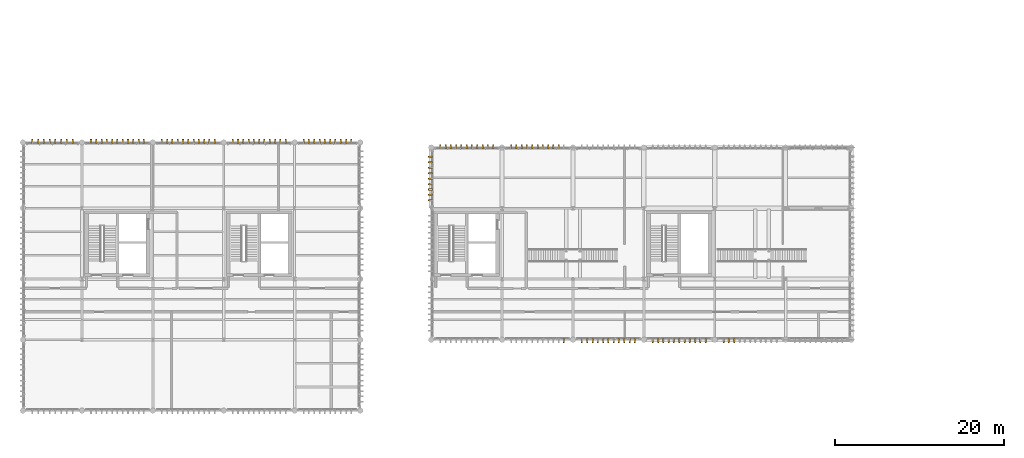
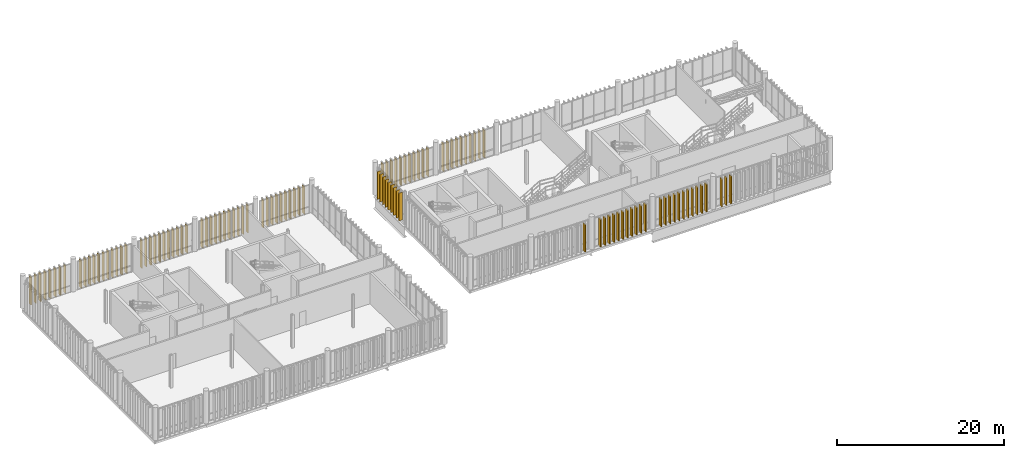
# One storey, part 81 of 86: 107 coverings.
"""IFC4 building model written with IfcOpenShell, lengths in metres."""

from ifc_helpers import new_model, si_unit, direction, frame, frame_2d, origin_with_axes, place, context, subcontext, project, spatial, rectangle, extrude, material, type_object, element, save


model = new_model("IFC4")

# Units and contexts
model_context = context("Model", 3, precision=1e-05, world=origin_with_axes(), true_north=direction((0.0, 1.0)))
body_context = subcontext(model_context, "Body", "Model", "MODEL_VIEW")
ifc_project = project(units=[si_unit("LENGTHUNIT", "METRE"), si_unit("AREAUNIT", "SQUARE_METRE"), si_unit("VOLUMEUNIT", "CUBIC_METRE"), si_unit("PLANEANGLEUNIT", "RADIAN"), si_unit("MASSUNIT", "GRAM", prefix="KILO"), si_unit("THERMODYNAMICTEMPERATUREUNIT", "KELVIN")], contexts=[model_context])

# Site, building, storey
site_placement = place(None, origin_with_axes())
site = spatial("IfcSite", under=ifc_project, at=site_placement, CompositionType="ELEMENT")
building_placement = place(site_placement, origin_with_axes())
building = spatial("IfcBuilding", under=site, at=building_placement, Name="Montbau Bow Law Courts", CompositionType="ELEMENT")
storey_placement = place(building_placement, frame((0.0, 0.0, 29.7), z_axis=(0.0, 0.0, 1.0), x_axis=(1.0, 0.0, 0.0)))
storey = spatial("IfcBuildingStorey", under=building, at=storey_placement, Name="L06", CompositionType="ELEMENT", Elevation=29.7)

# Coverings
ifc_material_1 = material(Name="Freeze-Thaw Glazed Warm Cream Ceramic Vertical Louvre", Category="masonry")
covering_type_1 = type_object("IfcCoveringType", Name="CV-LVR-CRM", PredefinedType="CLADDING", material=ifc_material_1)
for number, where, z_axis, x_axis, name in (
    (1, (70.933, 39.13, 29.7), (-1.0, 0.0, 0.0), (0.0, -1.0, 0.0), "CLV-L06-1924:cov_1969"),
    (2, (73.067, 39.13, 29.7), (-1.0, 0.0, 0.0), (0.0, -1.0, 0.0), "CLV-L06-1925:cov_1970"),
    (3, (73.693, 39.13, 29.7), (-1.0, 0.0, 0.0), (0.0, -1.0, 0.0), "CLV-L06-1926:cov_1971"),
    (4, (74.32, 39.13, 29.7), (-1.0, 0.0, 0.0), (0.0, -1.0, 0.0), "CLV-L06-1927:cov_1972"),
    (5, (74.947, 39.13, 29.7), (-1.0, 0.0, 0.0), (0.0, -1.0, 0.0), "CLV-L06-1928:cov_1973"),
    (6, (75.573, 39.13, 29.7), (-1.0, 0.0, 0.0), (0.0, -1.0, 0.0), "CLV-L06-1929:cov_1974"),
    (7, (76.2, 39.13, 29.7), (-1.0, 0.0, 0.0), (0.0, -1.0, 0.0), "CLV-L06-1930:cov_1975"),
    (8, (76.827, 39.13, 29.7), (-1.0, 0.0, 0.0), (0.0, -1.0, 0.0), "CLV-L06-1931:cov_1976"),
    (9, (77.453, 39.13, 29.7), (-1.0, 0.0, 0.0), (0.0, -1.0, 0.0), "CLV-L06-1932:cov_1977"),
    (10, (78.08, 39.13, 29.7), (-1.0, 0.0, 0.0), (0.0, -1.0, 0.0), "CLV-L06-1933:cov_1978"),
    (11, (78.707, 39.13, 29.7), (-1.0, 0.0, 0.0), (0.0, -1.0, 0.0), "CLV-L06-1934:cov_1979"),
    (12, (79.333, 39.13, 29.7), (-1.0, 0.0, 0.0), (0.0, -1.0, 0.0), "CLV-L06-1935:cov_1980"),
    (13, (81.467, 39.13, 29.7), (-1.0, 0.0, 0.0), (0.0, -1.0, 0.0), "CLV-L06-1936:cov_1981"),
    (14, (82.093, 39.13, 29.7), (-1.0, 0.0, 0.0), (0.0, -1.0, 0.0), "CLV-L06-1937:cov_1982"),
    (15, (82.72, 39.13, 29.7), (-1.0, 0.0, 0.0), (0.0, -1.0, 0.0), "CLV-L06-1938:cov_1983"),
    (16, (83.347, 39.13, 29.7), (-1.0, 0.0, 0.0), (0.0, -1.0, 0.0), "CLV-L06-1939:cov_1984"),
    (17, (83.973, 39.13, 29.7), (-1.0, 0.0, 0.0), (0.0, -1.0, 0.0), "CLV-L06-1940:cov_1985"),
    (18, (84.6, 39.13, 29.7), (-1.0, 0.0, 0.0), (0.0, -1.0, 0.0), "CLV-L06-1941:cov_1986"),
    (19, (85.227, 39.13, 29.7), (-1.0, 0.0, 0.0), (0.0, -1.0, 0.0), "CLV-L06-1942:cov_1987"),
    (20, (85.853, 39.13, 29.7), (-1.0, 0.0, 0.0), (0.0, -1.0, 0.0), "CLV-L06-1943:cov_1988"),
    (21, (86.48, 39.13, 29.7), (-1.0, 0.0, 0.0), (0.0, -1.0, 0.0), "CLV-L06-1944:cov_1989"),
    (22, (87.107, 39.13, 29.7), (-1.0, 0.0, 0.0), (0.0, -1.0, 0.0), "CLV-L06-1945:cov_1990"),
    (23, (87.733, 39.13, 29.7), (-1.0, 0.0, 0.0), (0.0, -1.0, 0.0), "CLV-L06-1946:cov_1991"),
    (24, (89.867, 39.13, 29.7), (-1.0, 0.0, 0.0), (0.0, -1.0, 0.0), "CLV-L06-1947:cov_1992"),
    (25, (90.493, 39.13, 29.7), (-1.0, 0.0, 0.0), (0.0, -1.0, 0.0), "CLV-L06-1948:cov_1993"),
    (26, (91.12, 39.13, 29.7), (-1.0, 0.0, 0.0), (0.0, -1.0, 0.0), "CLV-L06-1949:cov_1994"),
    (27, (56.267, 61.67, 29.7), (1.0, 0.0, 0.0), (0.0, 1.0, 0.0), "CLV-L06-1968:cov_2013"),
    (28, (56.893, 61.67, 29.7), (1.0, 0.0, 0.0), (0.0, 1.0, 0.0), "CLV-L06-1969:cov_2014"),
    (29, (57.52, 61.67, 29.7), (1.0, 0.0, 0.0), (0.0, 1.0, 0.0), "CLV-L06-1970:cov_2015"),
    (30, (58.147, 61.67, 29.7), (1.0, 0.0, 0.0), (0.0, 1.0, 0.0), "CLV-L06-1971:cov_2016"),
    (31, (58.773, 61.67, 29.7), (1.0, 0.0, 0.0), (0.0, 1.0, 0.0), "CLV-L06-1972:cov_2017"),
    (32, (59.4, 61.67, 29.7), (1.0, 0.0, 0.0), (0.0, 1.0, 0.0), "CLV-L06-1973:cov_2018"),
    (33, (60.027, 61.67, 29.7), (1.0, 0.0, 0.0), (0.0, 1.0, 0.0), "CLV-L06-1974:cov_2019"),
    (34, (60.653, 61.67, 29.7), (1.0, 0.0, 0.0), (0.0, 1.0, 0.0), "CLV-L06-1975:cov_2020"),
    (35, (61.28, 61.67, 29.7), (1.0, 0.0, 0.0), (0.0, 1.0, 0.0), "CLV-L06-1976:cov_2021"),
    (36, (61.907, 61.67, 29.7), (1.0, 0.0, 0.0), (0.0, 1.0, 0.0), "CLV-L06-1977:cov_2022"),
    (37, (62.533, 61.67, 29.7), (1.0, 0.0, 0.0), (0.0, 1.0, 0.0), "CLV-L06-1978:cov_2023"),
    (38, (64.667, 61.67, 29.7), (1.0, 0.0, 0.0), (0.0, 1.0, 0.0), "CLV-L06-1979:cov_2024"),
    (39, (65.293, 61.67, 29.7), (1.0, 0.0, 0.0), (0.0, 1.0, 0.0), "CLV-L06-1980:cov_2025"),
    (40, (65.92, 61.67, 29.7), (1.0, 0.0, 0.0), (0.0, 1.0, 0.0), "CLV-L06-1981:cov_2026"),
    (41, (66.547, 61.67, 29.7), (1.0, 0.0, 0.0), (0.0, 1.0, 0.0), "CLV-L06-1982:cov_2027"),
    (42, (67.173, 61.67, 29.7), (1.0, 0.0, 0.0), (0.0, 1.0, 0.0), "CLV-L06-1983:cov_2028"),
    (43, (67.8, 61.67, 29.7), (1.0, 0.0, 0.0), (0.0, 1.0, 0.0), "CLV-L06-1984:cov_2029"),
    (44, (68.427, 61.67, 29.7), (1.0, 0.0, 0.0), (0.0, 1.0, 0.0), "CLV-L06-1985:cov_2030"),
    (45, (69.053, 61.67, 29.7), (1.0, 0.0, 0.0), (0.0, 1.0, 0.0), "CLV-L06-1986:cov_2031"),
    (46, (69.68, 61.67, 29.7), (1.0, 0.0, 0.0), (0.0, 1.0, 0.0), "CLV-L06-1987:cov_2032"),
    (47, (70.307, 61.67, 29.7), (1.0, 0.0, 0.0), (0.0, 1.0, 0.0), "CLV-L06-1988:cov_2033"),
    (48, (55.33, 55.517, 29.7), (0.0, 1.0, 0.0), (-1.0, 0.0, 0.0), "CLV-L06-2053:cov_2098"),
    (49, (55.33, 56.166, 29.7), (0.0, 1.0, 0.0), (-1.0, 0.0, 0.0), "CLV-L06-2054:cov_2099"),
    (50, (55.33, 56.816, 29.7), (0.0, 1.0, 0.0), (-1.0, 0.0, 0.0), "CLV-L06-2055:cov_2100"),
    (51, (55.33, 57.465, 29.7), (0.0, 1.0, 0.0), (-1.0, 0.0, 0.0), "CLV-L06-2056:cov_2101"),
    (52, (55.33, 58.114, 29.7), (0.0, 1.0, 0.0), (-1.0, 0.0, 0.0), "CLV-L06-2057:cov_2102"),
    (53, (55.33, 58.763, 29.7), (0.0, 1.0, 0.0), (-1.0, 0.0, 0.0), "CLV-L06-2058:cov_2103"),
    (54, (55.33, 59.412, 29.7), (0.0, 1.0, 0.0), (-1.0, 0.0, 0.0), "CLV-L06-2059:cov_2104"),
    (55, (55.33, 60.062, 29.7), (0.0, 1.0, 0.0), (-1.0, 0.0, 0.0), "CLV-L06-2060:cov_2105"),
    (56, (55.33, 60.711, 29.7), (0.0, 1.0, 0.0), (-1.0, 0.0, 0.0), "CLV-L06-2061:cov_2106"),
):
    element("IfcCovering", number, at=place(None, frame(where, z_axis=z_axis, x_axis=x_axis)), inside=storey, type_object=covering_type_1, Name=name, PredefinedType="CLADDING", context=body_context, shape_type="SweptSolid", body=[
        extrude(rectangle(XDim=0.48, YDim=4.04, at=frame_2d((0.24, 2.02), x_axis=(1.0, 0.0))), frame((0.0, 0.0, -0.06), z_axis=(0.0, 0.0, 1.0), x_axis=(1.0, 0.0, 0.0)), (0.0, 0.0, 1.0), 0.12),
    ])
ifc_material_2 = material(Name="Freeze-Thaw Glazed Terracotta-Red Ceramic Vertical Louvre", Category="masonry")
covering_type_2 = type_object("IfcCoveringType", Name="CV-LVR-RED", PredefinedType="CLADDING", material=ifc_material_2)
for number, where, z_axis, x_axis, name in (
    (57, (7.92, 62.27, 29.7), (1.0, 0.0, 0.0), (0.0, 1.0, 0.0), "CLV-L06-0843:cov_0888"),
    (58, (8.6, 62.27, 29.7), (1.0, 0.0, 0.0), (0.0, 1.0, 0.0), "CLV-L06-0844:cov_0889"),
    (59, (9.28, 62.27, 29.7), (1.0, 0.0, 0.0), (0.0, 1.0, 0.0), "CLV-L06-0845:cov_0890"),
    (60, (9.96, 62.27, 29.7), (1.0, 0.0, 0.0), (0.0, 1.0, 0.0), "CLV-L06-0846:cov_0891"),
    (61, (10.64, 62.27, 29.7), (1.0, 0.0, 0.0), (0.0, 1.0, 0.0), "CLV-L06-0847:cov_0892"),
    (62, (11.32, 62.27, 29.7), (1.0, 0.0, 0.0), (0.0, 1.0, 0.0), "CLV-L06-0848:cov_0893"),
    (63, (12.0, 62.27, 29.7), (1.0, 0.0, 0.0), (0.0, 1.0, 0.0), "CLV-L06-0849:cov_0894"),
    (64, (12.68, 62.27, 29.7), (1.0, 0.0, 0.0), (0.0, 1.0, 0.0), "CLV-L06-0850:cov_0895"),
    (65, (14.867, 62.27, 29.7), (1.0, 0.0, 0.0), (0.0, 1.0, 0.0), "CLV-L06-0851:cov_0896"),
    (66, (15.493, 62.27, 29.7), (1.0, 0.0, 0.0), (0.0, 1.0, 0.0), "CLV-L06-0852:cov_0897"),
    (67, (16.12, 62.27, 29.7), (1.0, 0.0, 0.0), (0.0, 1.0, 0.0), "CLV-L06-0853:cov_0898"),
    (68, (16.747, 62.27, 29.7), (1.0, 0.0, 0.0), (0.0, 1.0, 0.0), "CLV-L06-0854:cov_0899"),
    (69, (17.373, 62.27, 29.7), (1.0, 0.0, 0.0), (0.0, 1.0, 0.0), "CLV-L06-0855:cov_0900"),
    (70, (18.0, 62.27, 29.7), (1.0, 0.0, 0.0), (0.0, 1.0, 0.0), "CLV-L06-0856:cov_0901"),
    (71, (18.627, 62.27, 29.7), (1.0, 0.0, 0.0), (0.0, 1.0, 0.0), "CLV-L06-0857:cov_0902"),
    (72, (19.253, 62.27, 29.7), (1.0, 0.0, 0.0), (0.0, 1.0, 0.0), "CLV-L06-0858:cov_0903"),
    (73, (19.88, 62.27, 29.7), (1.0, 0.0, 0.0), (0.0, 1.0, 0.0), "CLV-L06-0859:cov_0904"),
    (74, (20.507, 62.27, 29.7), (1.0, 0.0, 0.0), (0.0, 1.0, 0.0), "CLV-L06-0860:cov_0905"),
    (75, (21.133, 62.27, 29.7), (1.0, 0.0, 0.0), (0.0, 1.0, 0.0), "CLV-L06-0861:cov_0906"),
    (76, (23.267, 62.27, 29.7), (1.0, 0.0, 0.0), (0.0, 1.0, 0.0), "CLV-L06-0862:cov_0907"),
    (77, (23.893, 62.27, 29.7), (1.0, 0.0, 0.0), (0.0, 1.0, 0.0), "CLV-L06-0863:cov_0908"),
    (78, (24.52, 62.27, 29.7), (1.0, 0.0, 0.0), (0.0, 1.0, 0.0), "CLV-L06-0864:cov_0909"),
    (79, (25.147, 62.27, 29.7), (1.0, 0.0, 0.0), (0.0, 1.0, 0.0), "CLV-L06-0865:cov_0910"),
    (80, (25.773, 62.27, 29.7), (1.0, 0.0, 0.0), (0.0, 1.0, 0.0), "CLV-L06-0866:cov_0911"),
    (81, (26.4, 62.27, 29.7), (1.0, 0.0, 0.0), (0.0, 1.0, 0.0), "CLV-L06-0867:cov_0912"),
    (82, (27.027, 62.27, 29.7), (1.0, 0.0, 0.0), (0.0, 1.0, 0.0), "CLV-L06-0868:cov_0913"),
    (83, (27.653, 62.27, 29.7), (1.0, 0.0, 0.0), (0.0, 1.0, 0.0), "CLV-L06-0869:cov_0914"),
    (84, (28.28, 62.27, 29.7), (1.0, 0.0, 0.0), (0.0, 1.0, 0.0), "CLV-L06-0870:cov_0915"),
    (85, (28.907, 62.27, 29.7), (1.0, 0.0, 0.0), (0.0, 1.0, 0.0), "CLV-L06-0871:cov_0916"),
    (86, (29.533, 62.27, 29.7), (1.0, 0.0, 0.0), (0.0, 1.0, 0.0), "CLV-L06-0872:cov_0917"),
    (87, (31.667, 62.27, 29.7), (1.0, 0.0, 0.0), (0.0, 1.0, 0.0), "CLV-L06-0873:cov_0918"),
    (88, (32.293, 62.27, 29.7), (1.0, 0.0, 0.0), (0.0, 1.0, 0.0), "CLV-L06-0874:cov_0919"),
    (89, (32.92, 62.27, 29.7), (1.0, 0.0, 0.0), (0.0, 1.0, 0.0), "CLV-L06-0875:cov_0920"),
    (90, (33.547, 62.27, 29.7), (1.0, 0.0, 0.0), (0.0, 1.0, 0.0), "CLV-L06-0876:cov_0921"),
    (91, (34.173, 62.27, 29.7), (1.0, 0.0, 0.0), (0.0, 1.0, 0.0), "CLV-L06-0877:cov_0922"),
    (92, (34.8, 62.27, 29.7), (1.0, 0.0, 0.0), (0.0, 1.0, 0.0), "CLV-L06-0878:cov_0923"),
    (93, (35.427, 62.27, 29.7), (1.0, 0.0, 0.0), (0.0, 1.0, 0.0), "CLV-L06-0879:cov_0924"),
    (94, (36.053, 62.27, 29.7), (1.0, 0.0, 0.0), (0.0, 1.0, 0.0), "CLV-L06-0880:cov_0925"),
    (95, (36.68, 62.27, 29.7), (1.0, 0.0, 0.0), (0.0, 1.0, 0.0), "CLV-L06-0881:cov_0926"),
    (96, (37.307, 62.27, 29.7), (1.0, 0.0, 0.0), (0.0, 1.0, 0.0), "CLV-L06-0882:cov_0927"),
    (97, (37.933, 62.27, 29.7), (1.0, 0.0, 0.0), (0.0, 1.0, 0.0), "CLV-L06-0883:cov_0928"),
    (98, (40.069, 62.27, 29.7), (1.0, 0.0, 0.0), (0.0, 1.0, 0.0), "CLV-L06-0884:cov_0929"),
    (99, (40.698, 62.27, 29.7), (1.0, 0.0, 0.0), (0.0, 1.0, 0.0), "CLV-L06-0885:cov_0930"),
    (100, (41.327, 62.27, 29.7), (1.0, 0.0, 0.0), (0.0, 1.0, 0.0), "CLV-L06-0886:cov_0931"),
    (101, (41.956, 62.27, 29.7), (1.0, 0.0, 0.0), (0.0, 1.0, 0.0), "CLV-L06-0887:cov_0932"),
    (102, (42.585, 62.27, 29.7), (1.0, 0.0, 0.0), (0.0, 1.0, 0.0), "CLV-L06-0888:cov_0933"),
    (103, (43.215, 62.27, 29.7), (1.0, 0.0, 0.0), (0.0, 1.0, 0.0), "CLV-L06-0889:cov_0934"),
    (104, (43.844, 62.27, 29.7), (1.0, 0.0, 0.0), (0.0, 1.0, 0.0), "CLV-L06-0890:cov_0935"),
    (105, (44.473, 62.27, 29.7), (1.0, 0.0, 0.0), (0.0, 1.0, 0.0), "CLV-L06-0891:cov_0936"),
    (106, (45.102, 62.27, 29.7), (1.0, 0.0, 0.0), (0.0, 1.0, 0.0), "CLV-L06-0892:cov_0937"),
    (107, (45.731, 62.27, 29.7), (1.0, 0.0, 0.0), (0.0, 1.0, 0.0), "CLV-L06-0893:cov_0938"),
):
    element("IfcCovering", number, at=place(None, frame(where, z_axis=z_axis, x_axis=x_axis)), inside=storey, type_object=covering_type_2, Name=name, PredefinedType="CLADDING", context=body_context, shape_type="SweptSolid", body=[
        extrude(rectangle(XDim=0.48, YDim=4.04, at=frame_2d((0.24, 2.02), x_axis=(1.0, 0.0))), frame((0.0, 0.0, -0.06), z_axis=(0.0, 0.0, 1.0), x_axis=(1.0, 0.0, 0.0)), (0.0, 0.0, 1.0), 0.12),
    ])

save(model, "model.ifc")
